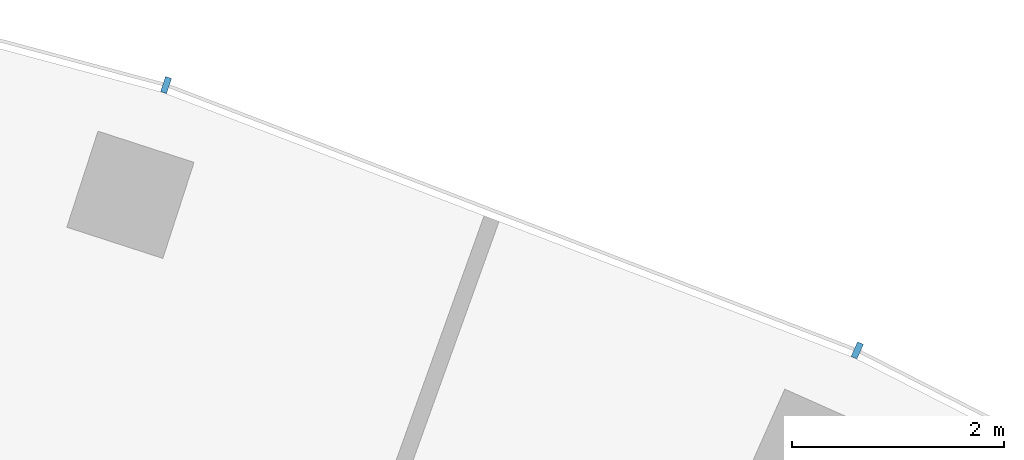
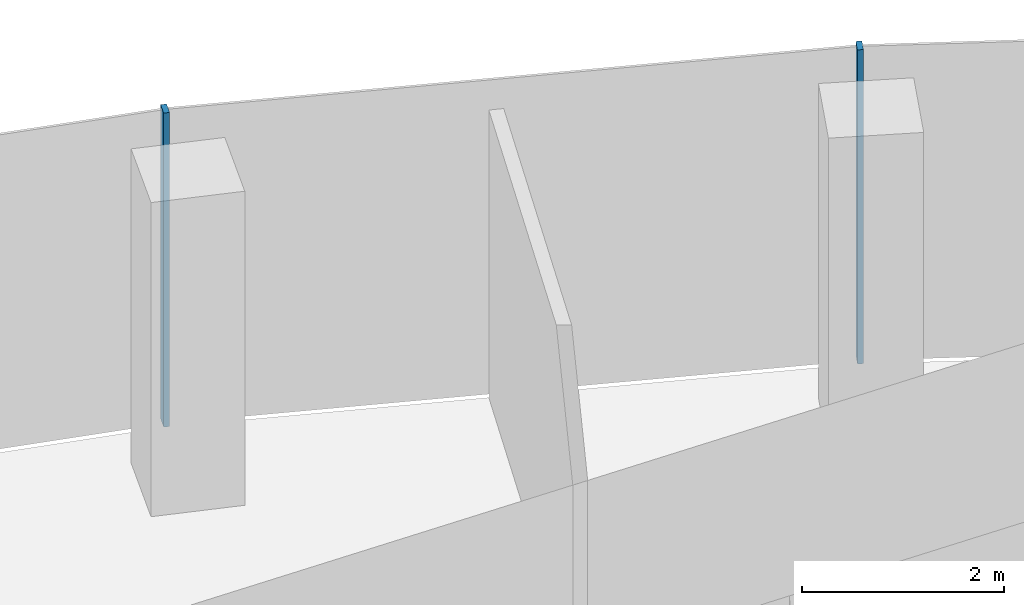
# One storey, part 9 of 19: 2 members, 1 element without a shape of its own.
"""IFC4 building model written with IfcOpenShell, lengths in metres."""

import ifcopenshell
import ifcopenshell.guid

model = None  # the IFC model being written
_history = None  # IfcOwnerHistory: only IFC2X3 demands one
_inside = {}  # id of a spatial element -> (the spatial element, [elements in it])
_under = {}  # id of a project, library or spatial element -> (it, [spatial elements below it])
_declared = {}  # id of a project -> (the project, [libraries it declares])
_typed = {}  # id of a type object -> (the type object, [elements of that type])
_made_of = {}  # id of a material, layer set ... -> (it, [elements and type objects made of it])


def new_model(schema):
    """Start an empty IFC model of exactly this schema.

    Asked for "IFC4X3", IfcOpenShell would pick the latest addendum, in which some entities
    have other attributes; the version numbers below select the first issue.
    IFC2X3 requires an IfcOwnerHistory on every rooted entity: one is made here for all.
    """
    global model, _history
    if schema == "IFC4X3":
        model = ifcopenshell.file(schema_version=(4, 3, 0, 0))
    else:
        model = ifcopenshell.file(schema=schema)
    _inside.clear()
    _under.clear()
    _declared.clear()
    _typed.clear()
    _made_of.clear()
    _history = None
    if model.schema == "IFC2X3":
        org = make("IfcOrganization", Name="unknown")
        user = make(
            "IfcPersonAndOrganization",
            ThePerson=make("IfcPerson", FamilyName="unknown"),
            TheOrganization=org,
        )
        app = make(
            "IfcApplication",
            ApplicationDeveloper=org,
            Version="unknown",
            ApplicationFullName="unknown",
            ApplicationIdentifier="unknown",
        )
        _history = make(
            "IfcOwnerHistory",
            OwningUser=user,
            OwningApplication=app,
            ChangeAction="ADDED",
            CreationDate=0,
        )
    return model


def make(cls, **values):
    """One entity of the class cls with the attributes given. An attribute that is None is left unset."""
    return model.create_entity(
        cls, **{name: value for name, value in values.items() if value is not None}
    )


def rooted(cls, **values):
    """An entity with a GlobalId (a new one), such as an element, a storey or a relation."""
    return make(cls, GlobalId=ifcopenshell.guid.new(), OwnerHistory=_history, **values)


def si_unit(unit_type, name, prefix=None):
    """IfcSIUnit, for example si_unit("LENGTHUNIT", "METRE", prefix="MILLI")."""
    return make("IfcSIUnit", UnitType=unit_type, Prefix=prefix, Name=name)


def assignment(units):
    """IfcUnitAssignment: the units of a project."""
    return None if units is None else make("IfcUnitAssignment", Units=units)


def point(xyz):
    """IfcCartesianPoint."""
    return None if xyz is None else make("IfcCartesianPoint", Coordinates=xyz)


def direction(xyz):
    """IfcDirection."""
    return None if xyz is None else make("IfcDirection", DirectionRatios=xyz)


def frame(location, z_axis=None, x_axis=None):
    """IfcAxis2Placement3D, a coordinate frame: its origin and axes. An axis left out is left unset."""
    return make(
        "IfcAxis2Placement3D",
        Location=point(location),
        Axis=direction(z_axis),
        RefDirection=direction(x_axis),
    )


def frame_2d(location, x_axis=None):
    """IfcAxis2Placement2D, a coordinate frame in the plane: its origin and x axis."""
    return make(
        "IfcAxis2Placement2D", Location=point(location), RefDirection=direction(x_axis)
    )


def origin():
    """The frame at (0, 0, 0) with its axes left unset."""
    return frame((0.0, 0.0, 0.0))


def origin_2d():
    """The frame at (0, 0) in the plane with its x axis left unset."""
    return frame_2d((0.0, 0.0))


def place(relative_to, where):
    """IfcLocalPlacement: puts the frame where relative to a parent placement (None: the world)."""
    return make(
        "IfcLocalPlacement", PlacementRelTo=relative_to, RelativePlacement=where
    )


def context(
    kind, dimensions, precision=None, world=None, true_north=None, identifier=None
):
    """IfcGeometricRepresentationContext, for example the 3D "Model" context."""
    return make(
        "IfcGeometricRepresentationContext",
        ContextIdentifier=identifier,
        ContextType=kind,
        CoordinateSpaceDimension=dimensions,
        Precision=precision,
        WorldCoordinateSystem=world,
        TrueNorth=true_north,
    )


def subcontext(parent, identifier, kind, view, scale=None):
    """IfcGeometricRepresentationSubContext, for example "Body" below "Model"."""
    return make(
        "IfcGeometricRepresentationSubContext",
        ContextIdentifier=identifier,
        ContextType=kind,
        ParentContext=parent,
        TargetScale=scale,
        TargetView=view,
    )


def project(units=None, contexts=None):
    """IfcProject with its units and contexts."""
    return rooted(
        "IfcProject",
        Name="project",
        RepresentationContexts=contexts,
        UnitsInContext=assignment(units),
    )


def spatial(cls, under=None, at=None, **own):
    """A site, building, storey or space (cls), placed at a placement, below another one or the project."""
    s = rooted(cls, ObjectPlacement=at, **own)
    if under is not None:
        _under.setdefault(under.id(), (under, []))[1].append(s)
    return s


def profile(cls, at=None, kind="AREA", **sizes):
    """A parametric profile (cls). Its sizes go by their IFC names, for example OverallWidth=200.0."""
    return make(cls, ProfileType=kind, Position=at, **sizes)


def rectangle(**sizes):
    """IfcRectangleProfileDef."""
    return profile("IfcRectangleProfileDef", **sizes)


def extrude(swept, where, along, depth):
    """IfcExtrudedAreaSolid: the profile swept, set in the frame where, extruded along a direction by depth."""
    return make(
        "IfcExtrudedAreaSolid",
        SweptArea=swept,
        Position=where,
        ExtrudedDirection=direction(along),
        Depth=depth,
    )


def shape(context_of_items, identifier, shape_type, items):
    """IfcShapeRepresentation: the items that make up one representation, for example the "Body"."""
    return make(
        "IfcShapeRepresentation",
        ContextOfItems=context_of_items,
        RepresentationIdentifier=identifier,
        RepresentationType=shape_type,
        Items=items,
    )


def material(Name=None, Category=None):
    """IfcMaterial."""
    return make("IfcMaterial", Name=Name, Category=Category)


def layer(
    of_material, thickness, ventilated=None, Name=None, Category=None, Priority=None
):
    """IfcMaterialLayer: one layer of a wall or slab, of a material (None: an air gap)."""
    return make(
        "IfcMaterialLayer",
        Material=of_material,
        LayerThickness=thickness,
        IsVentilated=ventilated,
        Name=Name,
        Category=Category,
        Priority=Priority,
    )


def layer_set(layers, Name=None):
    """IfcMaterialLayerSet."""
    return make("IfcMaterialLayerSet", MaterialLayers=layers, LayerSetName=Name)


def material_profile(
    of_material, cross_section, Name=None, Category=None, Priority=None
):
    """IfcMaterialProfile: a cross section and its material."""
    return make(
        "IfcMaterialProfile",
        Name=Name,
        Material=of_material,
        Profile=cross_section,
        Priority=Priority,
        Category=Category,
    )


def profile_set(profiles, Name=None, composite=None):
    """IfcMaterialProfileSet."""
    return make(
        "IfcMaterialProfileSet",
        Name=Name,
        MaterialProfiles=profiles,
        CompositeProfile=composite,
    )


def made_of(thing, what):
    """Note that an element or type object is made of a material, layer set ...; save() writes the relation."""
    if what is not None:
        _made_of.setdefault(what.id(), (what, []))[1].append(thing)
    return thing


def type_object(cls, material=None, **own):
    """A type object (cls), such as IfcWallType, which elements share."""
    return made_of(rooted(cls, **own), material)


def element(
    cls,
    number,
    at=None,
    inside=None,
    cuts=None,
    type_object=None,
    material=None,
    context=None,
    identifier="Body",
    shape_type=None,
    held_by="IfcProductDefinitionShape",
    body=None,
    shapes=None,
    **own,
):
    """One element of the class cls, such as IfcWall. Its Tag is "e" and its number.

    at: its placement. inside: the storey or other place that contains it. cuts: it is an
    opening in that element (IfcRelVoidsElement). A single representation is given by context,
    identifier, shape_type and body (its items); several are given by shapes. held_by: the class
    of the entity that holds the representations. save() writes the other relations.
    """
    e = rooted(cls, Tag="e%d" % number, ObjectPlacement=at, **own)
    if body is not None:
        shapes = [shape(context, identifier, shape_type, body)]
    if shapes is not None:
        e.Representation = make(held_by, Representations=shapes)
    if inside is not None:
        _inside.setdefault(inside.id(), (inside, []))[1].append(e)
    if cuts is not None:
        rooted(
            "IfcRelVoidsElement", RelatingBuildingElement=cuts, RelatedOpeningElement=e
        )
    if type_object is not None:
        _typed.setdefault(type_object.id(), (type_object, []))[1].append(e)
    return made_of(e, material)


def aggregate(whole, parts):
    """IfcRelAggregates: a whole, such as a stair, and the parts it consists of."""
    return rooted("IfcRelAggregates", RelatingObject=whole, RelatedObjects=parts)


def save(model, path):
    """Write the relations noted so far, then the file.

    IfcRelAggregates (storeys below a building ...), IfcRelContainedInSpatialStructure (elements
    in a storey), IfcRelDefinesByType, IfcRelAssociatesMaterial and IfcRelDeclares: one each for
    every whole, place, type object, material and project.
    """
    for whole, parts in _under.values():
        aggregate(whole, parts)
    for where, things in _inside.values():
        rooted(
            "IfcRelContainedInSpatialStructure",
            RelatedElements=things,
            RelatingStructure=where,
        )
    for kind, things in _typed.values():
        rooted("IfcRelDefinesByType", RelatedObjects=things, RelatingType=kind)
    for what, things in _made_of.values():
        rooted("IfcRelAssociatesMaterial", RelatedObjects=things, RelatingMaterial=what)
    for by, libraries in _declared.values():
        rooted("IfcRelDeclares", RelatingContext=by, RelatedDefinitions=libraries)
    model.write(path)


model = new_model("IFC4")

# Units and contexts
model_context = context("Model", 3, precision=1e-05, world=origin(), true_north=direction((0.0, 1.0)))
body_context = subcontext(model_context, "Body", "Model", "MODEL_VIEW")
ifc_project = project(units=[si_unit("LENGTHUNIT", "METRE"), si_unit("AREAUNIT", "SQUARE_METRE"), si_unit("VOLUMEUNIT", "CUBIC_METRE"), si_unit("PLANEANGLEUNIT", "RADIAN"), si_unit("MASSUNIT", "GRAM", prefix="KILO")], contexts=[model_context])

# Site, building, storey
site_placement = place(None, origin())
site = spatial("IfcSite", under=ifc_project, at=site_placement, CompositionType="ELEMENT")
building_placement = place(site_placement, origin())
building = spatial("IfcBuilding", under=site, at=building_placement, Name="Stone Belt Terrace Tower", CompositionType="ELEMENT")
storey_placement = place(building_placement, frame((0.0, 0.0, 208.60009765625)))
storey = spatial("IfcBuildingStorey", under=building, at=storey_placement, Name="L50", CompositionType="ELEMENT", Elevation=208.60009765625)

# Curtain wall, members
ifc_material = material(Name="Aluminium 6063-T6 anodised frame", Category="aluminium")
ifc_layer = layer(ifc_material, 0.14990234375)
ifc_layer_set = layer_set([ifc_layer], Name="CW-A unitised convex-face curtain wall")
curtain_wall_type = type_object("IfcCurtainWallType", Name="CW-A unitised convex-face curtain wall", PredefinedType="NOTDEFINED", material=ifc_layer_set)
curtain_wall_placement = place(storey_placement, origin())
curtain_wall = element("IfcCurtainWall", 1, at=curtain_wall_placement, inside=storey, type_object=curtain_wall_type, Name="CW-A convex face L50", PredefinedType="NOTDEFINED")
ifc_material_profile = material_profile(ifc_material, rectangle(XDim=0.14990234375, YDim=0.06005859375, at=origin_2d()), Name="Aluminium 6063-T6 60x150")
ifc_profile_set = profile_set([ifc_material_profile], Name="Aluminium 6063-T6 anodised frame")
member_type = type_object("IfcMemberType", Name="CW-A mullion 60 x 150", PredefinedType="MULLION", material=ifc_profile_set)
member_1_placement = place(storey_placement, frame((27.07861328125, 60.8193359375, 0.0), z_axis=(0.0, 0.0, 1.0), x_axis=(-0.406736643076, -0.913545457643, 0.0)))
member_1 = element("IfcMember", 2, at=member_1_placement, type_object=member_type, Name="CW-A mullion 5", PredefinedType="MULLION", context=body_context, shape_type="SweptSolid", body=[
    extrude(rectangle(XDim=0.14990234375, YDim=0.06005859375, at=origin_2d()), origin(), (0.0, 0.0, 1.0), 3.7998046875),
])
member_2_placement = place(storey_placement, frame((20.57275390625, 63.316650390625, 0.0), z_axis=(0.0, 0.0, 1.0), x_axis=(-0.309016994375, -0.951056516295, 0.0)))
member_2 = element("IfcMember", 3, at=member_2_placement, type_object=member_type, Name="CW-A mullion 6", PredefinedType="MULLION", context=body_context, shape_type="SweptSolid", body=[
    extrude(rectangle(XDim=0.14990234375, YDim=0.06005859375, at=origin_2d()), origin(), (0.0, 0.0, 1.0), 3.7998046875),
])
aggregate(curtain_wall, [member_1, member_2])

save(model, "model.ifc")
